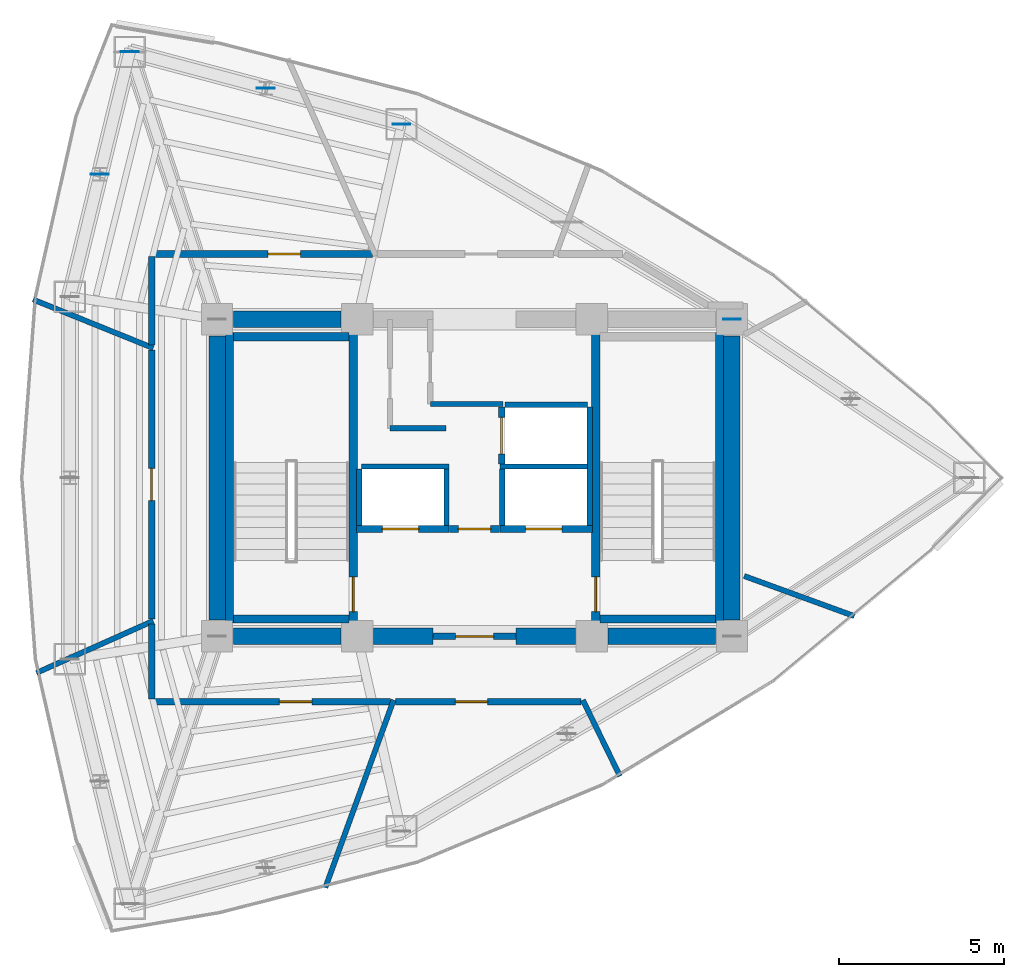
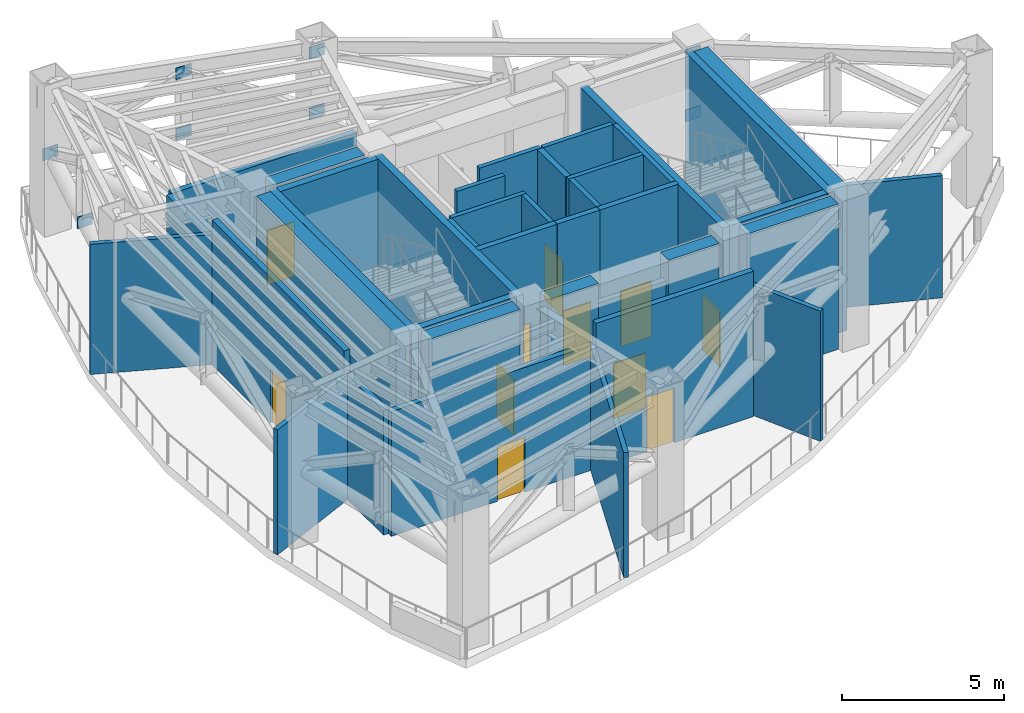
# One storey, part 3 of 6: 39 walls, 11 doors, 8 plates, 11 openings.
"""IFC4 building model written with IfcOpenShell, lengths in metres."""

import ifcopenshell
import ifcopenshell.guid

model = None  # the IFC model being written
_history = None  # IfcOwnerHistory: only IFC2X3 demands one
_inside = {}  # id of a spatial element -> (the spatial element, [elements in it])
_under = {}  # id of a project, library or spatial element -> (it, [spatial elements below it])
_declared = {}  # id of a project -> (the project, [libraries it declares])
_typed = {}  # id of a type object -> (the type object, [elements of that type])
_made_of = {}  # id of a material, layer set ... -> (it, [elements and type objects made of it])


def new_model(schema):
    """Start an empty IFC model of exactly this schema.

    Asked for "IFC4X3", IfcOpenShell would pick the latest addendum, in which some entities
    have other attributes; the version numbers below select the first issue.
    IFC2X3 requires an IfcOwnerHistory on every rooted entity: one is made here for all.
    """
    global model, _history
    if schema == "IFC4X3":
        model = ifcopenshell.file(schema_version=(4, 3, 0, 0))
    else:
        model = ifcopenshell.file(schema=schema)
    _inside.clear()
    _under.clear()
    _declared.clear()
    _typed.clear()
    _made_of.clear()
    _history = None
    if model.schema == "IFC2X3":
        org = make("IfcOrganization", Name="unknown")
        user = make(
            "IfcPersonAndOrganization",
            ThePerson=make("IfcPerson", FamilyName="unknown"),
            TheOrganization=org,
        )
        app = make(
            "IfcApplication",
            ApplicationDeveloper=org,
            Version="unknown",
            ApplicationFullName="unknown",
            ApplicationIdentifier="unknown",
        )
        _history = make(
            "IfcOwnerHistory",
            OwningUser=user,
            OwningApplication=app,
            ChangeAction="ADDED",
            CreationDate=0,
        )
    return model


def make(cls, **values):
    """One entity of the class cls with the attributes given. An attribute that is None is left unset."""
    return model.create_entity(
        cls, **{name: value for name, value in values.items() if value is not None}
    )


def rooted(cls, **values):
    """An entity with a GlobalId (a new one), such as an element, a storey or a relation."""
    return make(cls, GlobalId=ifcopenshell.guid.new(), OwnerHistory=_history, **values)


def si_unit(unit_type, name, prefix=None):
    """IfcSIUnit, for example si_unit("LENGTHUNIT", "METRE", prefix="MILLI")."""
    return make("IfcSIUnit", UnitType=unit_type, Prefix=prefix, Name=name)


def assignment(units):
    """IfcUnitAssignment: the units of a project."""
    return None if units is None else make("IfcUnitAssignment", Units=units)


def point(xyz):
    """IfcCartesianPoint."""
    return None if xyz is None else make("IfcCartesianPoint", Coordinates=xyz)


def direction(xyz):
    """IfcDirection."""
    return None if xyz is None else make("IfcDirection", DirectionRatios=xyz)


def frame(location, z_axis=None, x_axis=None):
    """IfcAxis2Placement3D, a coordinate frame: its origin and axes. An axis left out is left unset."""
    return make(
        "IfcAxis2Placement3D",
        Location=point(location),
        Axis=direction(z_axis),
        RefDirection=direction(x_axis),
    )


def frame_2d(location, x_axis=None):
    """IfcAxis2Placement2D, a coordinate frame in the plane: its origin and x axis."""
    return make(
        "IfcAxis2Placement2D", Location=point(location), RefDirection=direction(x_axis)
    )


def origin():
    """The frame at (0, 0, 0) with its axes left unset."""
    return frame((0.0, 0.0, 0.0))


def origin_2d():
    """The frame at (0, 0) in the plane with its x axis left unset."""
    return frame_2d((0.0, 0.0))


def place(relative_to, where):
    """IfcLocalPlacement: puts the frame where relative to a parent placement (None: the world)."""
    return make(
        "IfcLocalPlacement", PlacementRelTo=relative_to, RelativePlacement=where
    )


def context(
    kind, dimensions, precision=None, world=None, true_north=None, identifier=None
):
    """IfcGeometricRepresentationContext, for example the 3D "Model" context."""
    return make(
        "IfcGeometricRepresentationContext",
        ContextIdentifier=identifier,
        ContextType=kind,
        CoordinateSpaceDimension=dimensions,
        Precision=precision,
        WorldCoordinateSystem=world,
        TrueNorth=true_north,
    )


def subcontext(parent, identifier, kind, view, scale=None):
    """IfcGeometricRepresentationSubContext, for example "Body" below "Model"."""
    return make(
        "IfcGeometricRepresentationSubContext",
        ContextIdentifier=identifier,
        ContextType=kind,
        ParentContext=parent,
        TargetScale=scale,
        TargetView=view,
    )


def project(units=None, contexts=None):
    """IfcProject with its units and contexts."""
    return rooted(
        "IfcProject",
        Name="project",
        RepresentationContexts=contexts,
        UnitsInContext=assignment(units),
    )


def spatial(cls, under=None, at=None, **own):
    """A site, building, storey or space (cls), placed at a placement, below another one or the project."""
    s = rooted(cls, ObjectPlacement=at, **own)
    if under is not None:
        _under.setdefault(under.id(), (under, []))[1].append(s)
    return s


def profile(cls, at=None, kind="AREA", **sizes):
    """A parametric profile (cls). Its sizes go by their IFC names, for example OverallWidth=200.0."""
    return make(cls, ProfileType=kind, Position=at, **sizes)


def rectangle(**sizes):
    """IfcRectangleProfileDef."""
    return profile("IfcRectangleProfileDef", **sizes)


def extrude(swept, where, along, depth):
    """IfcExtrudedAreaSolid: the profile swept, set in the frame where, extruded along a direction by depth."""
    return make(
        "IfcExtrudedAreaSolid",
        SweptArea=swept,
        Position=where,
        ExtrudedDirection=direction(along),
        Depth=depth,
    )


def shape(context_of_items, identifier, shape_type, items):
    """IfcShapeRepresentation: the items that make up one representation, for example the "Body"."""
    return make(
        "IfcShapeRepresentation",
        ContextOfItems=context_of_items,
        RepresentationIdentifier=identifier,
        RepresentationType=shape_type,
        Items=items,
    )


def material(Name=None, Category=None):
    """IfcMaterial."""
    return make("IfcMaterial", Name=Name, Category=Category)


def layer(
    of_material, thickness, ventilated=None, Name=None, Category=None, Priority=None
):
    """IfcMaterialLayer: one layer of a wall or slab, of a material (None: an air gap)."""
    return make(
        "IfcMaterialLayer",
        Material=of_material,
        LayerThickness=thickness,
        IsVentilated=ventilated,
        Name=Name,
        Category=Category,
        Priority=Priority,
    )


def layer_set(layers, Name=None):
    """IfcMaterialLayerSet."""
    return make("IfcMaterialLayerSet", MaterialLayers=layers, LayerSetName=Name)


def made_of(thing, what):
    """Note that an element or type object is made of a material, layer set ...; save() writes the relation."""
    if what is not None:
        _made_of.setdefault(what.id(), (what, []))[1].append(thing)
    return thing


def type_object(cls, material=None, **own):
    """A type object (cls), such as IfcWallType, which elements share."""
    return made_of(rooted(cls, **own), material)


def element(
    cls,
    number,
    at=None,
    inside=None,
    cuts=None,
    type_object=None,
    material=None,
    context=None,
    identifier="Body",
    shape_type=None,
    held_by="IfcProductDefinitionShape",
    body=None,
    shapes=None,
    **own,
):
    """One element of the class cls, such as IfcWall. Its Tag is "e" and its number.

    at: its placement. inside: the storey or other place that contains it. cuts: it is an
    opening in that element (IfcRelVoidsElement). A single representation is given by context,
    identifier, shape_type and body (its items); several are given by shapes. held_by: the class
    of the entity that holds the representations. save() writes the other relations.
    """
    e = rooted(cls, Tag="e%d" % number, ObjectPlacement=at, **own)
    if body is not None:
        shapes = [shape(context, identifier, shape_type, body)]
    if shapes is not None:
        e.Representation = make(held_by, Representations=shapes)
    if inside is not None:
        _inside.setdefault(inside.id(), (inside, []))[1].append(e)
    if cuts is not None:
        rooted(
            "IfcRelVoidsElement", RelatingBuildingElement=cuts, RelatedOpeningElement=e
        )
    if type_object is not None:
        _typed.setdefault(type_object.id(), (type_object, []))[1].append(e)
    return made_of(e, material)


def fill(opening, filler):
    """IfcRelFillsElement: the door or window that sits in an opening."""
    return rooted(
        "IfcRelFillsElement",
        RelatingOpeningElement=opening,
        RelatedBuildingElement=filler,
    )


def aggregate(whole, parts):
    """IfcRelAggregates: a whole, such as a stair, and the parts it consists of."""
    return rooted("IfcRelAggregates", RelatingObject=whole, RelatedObjects=parts)


def save(model, path):
    """Write the relations noted so far, then the file.

    IfcRelAggregates (storeys below a building ...), IfcRelContainedInSpatialStructure (elements
    in a storey), IfcRelDefinesByType, IfcRelAssociatesMaterial and IfcRelDeclares: one each for
    every whole, place, type object, material and project.
    """
    for whole, parts in _under.values():
        aggregate(whole, parts)
    for where, things in _inside.values():
        rooted(
            "IfcRelContainedInSpatialStructure",
            RelatedElements=things,
            RelatingStructure=where,
        )
    for kind, things in _typed.values():
        rooted("IfcRelDefinesByType", RelatedObjects=things, RelatingType=kind)
    for what, things in _made_of.values():
        rooted("IfcRelAssociatesMaterial", RelatedObjects=things, RelatingMaterial=what)
    for by, libraries in _declared.values():
        rooted("IfcRelDeclares", RelatingContext=by, RelatedDefinitions=libraries)
    model.write(path)


model = new_model("IFC4")

# Units and contexts
model_context = context("Model", 3, precision=1e-05, world=origin(), true_north=direction((0.0, 1.0)))
body_context = subcontext(model_context, "Body", "Model", "MODEL_VIEW")
ifc_project = project(units=[si_unit("LENGTHUNIT", "METRE"), si_unit("AREAUNIT", "SQUARE_METRE"), si_unit("VOLUMEUNIT", "CUBIC_METRE"), si_unit("PLANEANGLEUNIT", "RADIAN"), si_unit("MASSUNIT", "GRAM", prefix="KILO")], contexts=[model_context])

# Site, building, storey
site_placement = place(None, origin())
site = spatial("IfcSite", under=ifc_project, at=site_placement, CompositionType="ELEMENT")
building_placement = place(site_placement, origin())
building = spatial("IfcBuilding", under=site, at=building_placement, Name="Menara Vayukalpa", CompositionType="ELEMENT")
storey_placement = place(building_placement, frame((0.0, 0.0, 213.840087890625)))
storey = spatial("IfcBuildingStorey", under=building, at=storey_placement, Name="L54", CompositionType="ELEMENT", Elevation=213.840087890625)

# Plates
ifc_material_1 = material(Name="Steel S355", Category="steel")
ifc_layer_1 = layer(ifc_material_1, 0.028076171875)
ifc_layer_set_1 = layer_set([ifc_layer_1], Name="Steel S355")
plate_type = type_object("IfcPlateType", Name="PLT-END1", PredefinedType="USERDEFINED", material=ifc_layer_set_1)
for number, where, z_axis, x_axis, name in (
    (1, (15.15478515625, 34.902587890625, 2.530029296875), (0.0, 0.0, 1.0), (1.0, 0.0, 0.0), "L54 Structural Brace End Gusset Plate 075"),
    (2, (33.39990234375, 26.800048828125, 2.530029296875), (0.0, 0.0, 1.0), (1.0, 0.0, 0.0), "L54 Structural Brace End Gusset Plate 078"),
    (3, (23.389404296875, 32.70849609375, 2.530029296875), (0.0, 0.0, 1.0), (1.0, 0.0, 0.0), "L54 Structural Brace End Gusset Plate 081"),
    (4, (23.389404296875, 32.70849609375, 4.81005859375), (0.0, 0.0, 1.0), (1.0, 0.0, 0.0), "L54 Structural Brace End Gusset Plate 082"),
    (5, (33.39990234375, 26.800048828125, 4.81005859375), (0.0, 0.0, 1.0), (1.0, 0.0, 0.0), "L54 Structural Brace End Gusset Plate 083"),
    (6, (19.272216796875, 33.805419921875, 4.81005859375), (0.0, 0.0, 1.0), (1.0, 0.0, 0.0), "L54 Structural Brace End Gusset Plate 084"),
    (7, (19.272216796875, 33.805419921875, 2.530029296875), (0.0, 0.0, 1.0), (1.0, 0.0, 0.0), "L54 Structural Brace End Gusset Plate 085"),
    (8, (14.24951171875, 31.19580078125, 2.530029296875), (0.0, 0.0, 1.0), (1.0, 0.0, 0.0), "L54 Structural Brace End Gusset Plate 088"),
):
    element("IfcPlate", number, at=place(storey_placement, frame(where, z_axis=z_axis, x_axis=x_axis)), inside=storey, type_object=plate_type, Name=name, ObjectType="GUSSET_PLATE", PredefinedType="USERDEFINED", context=body_context, shape_type="SweptSolid", body=[
        extrude(rectangle(XDim=0.5400390625, YDim=0.028076171875, at=origin_2d()), origin(), (0.0, 0.0, 1.0), 0.43994140625),
    ])

# Walls
ifc_material_2 = material(Name="Concrete C60/75", Category="concrete")
ifc_layer_2 = layer(ifc_material_2, 0.5)
ifc_layer_set_2 = layer_set([ifc_layer_2], Name="Concrete C60/75")
wall_type_1 = type_object("IfcWallType", Name="WAL-CW500", PredefinedType="SHEAR", material=ifc_layer_set_2)
wall_1_placement = place(storey_placement, frame((18.294921875, 17.199951171875, 0.0), z_axis=(0.0, 0.0, 1.0), x_axis=(1.0, 0.0, 0.0)))
element("IfcWall", 9, at=wall_1_placement, inside=storey, type_object=wall_type_1, Name="L54 Buttressed Core Shear Wall CWS1", PredefinedType="SHEAR", context=body_context, shape_type="SweptSolid", body=[
    extrude(rectangle(XDim=3.260009765625, YDim=0.5, at=frame_2d((1.6298828125, 0.0))), origin(), (0.0, 0.0, 1.0), 5.47998046875),
])
wall_2_placement = place(storey_placement, frame((22.544921875, 17.199951171875, 0.0), z_axis=(0.0, 0.0, 1.0), x_axis=(1.0, 0.0, 0.0)))
element("IfcWall", 10, at=wall_2_placement, inside=storey, type_object=wall_type_1, Name="L54 Buttressed Core Shear Wall CWS2", PredefinedType="SHEAR", context=body_context, shape_type="SweptSolid", body=[
    extrude(rectangle(XDim=1.80517578125, YDim=0.5, at=frame_2d((0.902587890625, 0.0))), origin(), (0.0, 0.0, 1.0), 5.47998046875),
])
wall_3_placement = place(storey_placement, frame((26.85009765625, 17.199951171875, 0.0), z_axis=(0.0, 0.0, 1.0), x_axis=(1.0, 0.0, 0.0)))
element("IfcWall", 11, at=wall_3_placement, inside=storey, type_object=wall_type_1, Name="L54 Buttressed Core Shear Wall CWS3", PredefinedType="SHEAR", context=body_context, shape_type="SweptSolid", body=[
    extrude(rectangle(XDim=1.804931640625, YDim=0.5, at=frame_2d((0.90234375, 0.0))), origin(), (0.0, 0.0, 1.0), 5.47998046875),
])
for number, where, z_axis, x_axis, name in (
    (12, (29.64501953125, 17.199951171875, 0.0), (0.0, 0.0, 1.0), (1.0, 0.0, 0.0), "L54 Buttressed Core Shear Wall CWS4"),
    (13, (18.294921875, 26.800048828125, 0.0), (0.0, 0.0, 1.0), (1.0, 0.0, 0.0), "L54 Buttressed Core Shear Wall CWN1"),
):
    element("IfcWall", number, at=place(storey_placement, frame(where, z_axis=z_axis, x_axis=x_axis)), inside=storey, type_object=wall_type_1, Name=name, PredefinedType="SHEAR", context=body_context, shape_type="SweptSolid", body=[
        extrude(rectangle(XDim=3.260009765625, YDim=0.5, at=frame_2d((1.6298828125, 0.0))), origin(), (0.0, 0.0, 1.0), 5.47998046875),
    ])
for number, where, z_axis, x_axis, name in (
    (14, (17.800048828125, 17.695068359375, 0.0), (0.0, 0.0, 1.0), (0.0, 1.0, 0.0), "L54 Buttressed Core Shear Wall CWW1"),
    (15, (33.39990234375, 17.695068359375, 0.0), (0.0, 0.0, 1.0), (0.0, 1.0, 0.0), "L54 Buttressed Core Shear Wall CWE1"),
):
    element("IfcWall", number, at=place(storey_placement, frame(where, z_axis=z_axis, x_axis=x_axis)), inside=storey, type_object=wall_type_1, Name=name, PredefinedType="SHEAR", context=body_context, shape_type="SweptSolid", body=[
        extrude(rectangle(XDim=8.60986328125, YDim=0.5, at=frame_2d((4.304931640625, 0.0))), origin(), (0.0, 0.0, 1.0), 5.47998046875),
    ])
ifc_material_3 = material(Name="Lightweight Concrete Blockwork C16/20", Category="masonry")
ifc_layer_3 = layer(ifc_material_3, 0.159912109375)
ifc_layer_set_3 = layer_set([ifc_layer_3], Name="Lightweight Concrete Blockwork C16/20")
wall_type_2 = type_object("IfcWallType", Name="WAL-FR150", PredefinedType="PARTITIONING", material=ifc_layer_set_3)
for number, where, z_axis, x_axis, name in (
    (16, (22.10498046875, 20.56005859375, 0.0), (0.0, 0.0, 1.0), (0.0, 1.0, 0.0), "L54 Interior Partition IW-L54-SHW-WW"),
    (17, (24.7548828125, 20.56005859375, 0.0), (0.0, 0.0, 1.0), (0.0, 1.0, 0.0), "L54 Interior Partition IW-L54-SHW-W1E"),
):
    element("IfcWall", number, at=place(storey_placement, frame(where, z_axis=z_axis, x_axis=x_axis)), inside=storey, type_object=wall_type_2, Name=name, PredefinedType="PARTITIONING", context=body_context, shape_type="SweptSolid", body=[
        extrude(rectangle(XDim=1.7099609375, YDim=0.159912109375, at=frame_2d((0.85498046875, 0.0))), origin(), (0.0, 0.0, 1.0), 5.47998046875),
    ])
wall_4_placement = place(storey_placement, frame((22.179931640625, 22.344970703125, 0.0), z_axis=(0.0, 0.0, 1.0), x_axis=(1.0, 0.0, 0.0)))
element("IfcWall", 18, at=wall_4_placement, inside=storey, type_object=wall_type_2, Name="L54 Interior Partition IW-L54-SHM-W12", PredefinedType="PARTITIONING", context=body_context, shape_type="SweptSolid", body=[
    extrude(rectangle(XDim=2.650146484375, YDim=0.159912109375, at=frame_2d((1.3251953125, 0.0))), origin(), (0.0, 0.0, 1.0), 5.47998046875),
])
wall_5_placement = place(storey_placement, frame((29.094970703125, 20.56005859375, 0.0), z_axis=(0.0, 0.0, 1.0), x_axis=(0.0, 1.0, 0.0)))
element("IfcWall", 19, at=wall_5_placement, inside=storey, type_object=wall_type_2, Name="L54 Interior Partition IW-L54-SHW-EE", PredefinedType="PARTITIONING", context=body_context, shape_type="SweptSolid", body=[
    extrude(rectangle(XDim=3.579833984375, YDim=0.159912109375, at=frame_2d((1.7900390625, 0.0))), origin(), (0.0, 0.0, 1.0), 5.47998046875),
])
wall_6_placement = place(storey_placement, frame((26.445068359375, 20.56005859375, 0.0), z_axis=(0.0, 0.0, 1.0), x_axis=(0.0, 1.0, 0.0)))
element("IfcWall", 20, at=wall_6_placement, inside=storey, type_object=wall_type_2, Name="L54 Interior Partition IW-L54-SHW-E1W", PredefinedType="PARTITIONING", context=body_context, shape_type="SweptSolid", body=[
    extrude(rectangle(XDim=1.7099609375, YDim=0.159912109375, at=frame_2d((0.85498046875, 0.0))), origin(), (0.0, 0.0, 1.0), 5.47998046875),
])
wall_7_placement = place(storey_placement, frame((26.3701171875, 22.344970703125, 0.0), z_axis=(0.0, 0.0, 1.0), x_axis=(1.0, 0.0, 0.0)))
element("IfcWall", 21, at=wall_7_placement, inside=storey, type_object=wall_type_2, Name="L54 Interior Partition IW-L54-SHM-E13", PredefinedType="PARTITIONING", context=body_context, shape_type="SweptSolid", body=[
    extrude(rectangle(XDim=2.64990234375, YDim=0.159912109375, at=frame_2d((1.324951171875, 0.0))), origin(), (0.0, 0.0, 1.0), 5.47998046875),
])
wall_8_placement = place(storey_placement, frame((26.530029296875, 24.215087890625, 0.0), z_axis=(0.0, 0.0, 1.0), x_axis=(1.0, 0.0, 0.0)))
element("IfcWall", 22, at=wall_8_placement, inside=storey, type_object=wall_type_2, Name="L54 Interior Partition IW-L54-SHM-E32", PredefinedType="PARTITIONING", context=body_context, shape_type="SweptSolid", body=[
    extrude(rectangle(XDim=2.489990234375, YDim=0.159912109375, at=frame_2d((1.2451171875, 0.0))), origin(), (0.0, 0.0, 1.0), 5.47998046875),
])
wall_9_placement = place(storey_placement, frame((23.0400390625, 23.5, 0.0), z_axis=(0.0, 0.0, 1.0), x_axis=(1.0, 0.0, 0.0)))
element("IfcWall", 23, at=wall_9_placement, inside=storey, type_object=wall_type_2, Name="L54 Interior Partition IW-L54-LV7WA", PredefinedType="PARTITIONING", context=body_context, shape_type="SweptSolid", body=[
    extrude(rectangle(XDim=1.699951171875, YDim=0.159912109375, at=frame_2d((0.85009765625, 0.0))), origin(), (0.0, 0.0, 1.0), 5.47998046875),
])
wall_10_placement = place(storey_placement, frame((24.260009765625, 24.239990234375, 0.0), z_axis=(0.0, 0.0, 1.0), x_axis=(1.0, 0.0, 0.0)))
element("IfcWall", 24, at=wall_10_placement, inside=storey, type_object=wall_type_2, Name="L54 Interior Partition IW-L54-LV7EA", PredefinedType="PARTITIONING", context=body_context, shape_type="SweptSolid", body=[
    extrude(rectangle(XDim=2.199951171875, YDim=0.159912109375, at=frame_2d((1.10009765625, 0.0))), origin(), (0.0, 0.0, 1.0), 5.47998046875),
])
wall_11_placement = place(storey_placement, frame((15.8701171875, 25.93115234375, 0.0), z_axis=(0.0, 0.0, 1.0), x_axis=(-0.927185393296, 0.374602784905, 0.0)))
element("IfcWall", 25, at=wall_11_placement, inside=storey, type_object=wall_type_2, Name="L54 Interior Partition IW-L54-RDIV04", PredefinedType="PARTITIONING", context=body_context, shape_type="SweptSolid", body=[
    extrude(rectangle(XDim=3.9287109375, YDim=0.159912109375, at=frame_2d((1.96435546875, 0.0))), origin(), (0.0, 0.0, 1.0), 4.909912109375),
])
wall_12_placement = place(storey_placement, frame((15.8701171875, 17.66796875, 0.0), z_axis=(0.0, 0.0, 1.0), x_axis=(-0.913554296234, -0.406716790693, 0.0)))
element("IfcWall", 26, at=wall_12_placement, inside=storey, type_object=wall_type_2, Name="L54 Interior Partition IW-L54-RDIV05", PredefinedType="PARTITIONING", context=body_context, shape_type="SweptSolid", body=[
    extrude(rectangle(XDim=3.877197265625, YDim=0.159912109375, at=frame_2d((1.9384765625, 0.0))), origin(), (0.0, 0.0, 1.0), 4.7099609375),
])
wall_13_placement = place(storey_placement, frame((23.150390625, 15.27001953125, 0.0), z_axis=(0.0, 0.0, 1.0), x_axis=(-0.342018471851, -0.939693229151, 0.0)))
element("IfcWall", 27, at=wall_13_placement, inside=storey, type_object=wall_type_2, Name="L54 Interior Partition IW-L54-RDIV06", PredefinedType="PARTITIONING", context=body_context, shape_type="SweptSolid", body=[
    extrude(rectangle(XDim=6.049560546875, YDim=0.159912109375, at=frame_2d((3.02490234375, 0.0))), origin(), (0.0, 0.0, 1.0), 4.7099609375),
])
wall_14_placement = place(storey_placement, frame((28.88232421875, 15.27001953125, 0.0), z_axis=(0.0, 0.0, 1.0), x_axis=(0.438455439009, -0.898752929344, 0.0)))
element("IfcWall", 28, at=wall_14_placement, inside=storey, type_object=wall_type_2, Name="L54 Interior Partition IW-L54-RDIV07", PredefinedType="PARTITIONING", context=body_context, shape_type="SweptSolid", body=[
    extrude(rectangle(XDim=2.57080078125, YDim=0.159912109375, at=frame_2d((1.285400390625, 0.0))), origin(), (0.0, 0.0, 1.0), 4.909912109375),
])
wall_15_placement = place(storey_placement, frame((33.77001953125, 19.0263671875, 0.0), z_axis=(0.0, 0.0, 1.0), x_axis=(0.93969706172, -0.342007941714, 0.0)))
element("IfcWall", 29, at=wall_15_placement, inside=storey, type_object=wall_type_2, Name="L54 Interior Partition IW-L54-RDIV08", PredefinedType="PARTITIONING", context=body_context, shape_type="SweptSolid", body=[
    extrude(rectangle(XDim=3.552001953125, YDim=0.159912109375, at=frame_2d((1.77587890625, 0.0))), origin(), (0.0, 0.0, 1.0), 4.60986328125),
])

# Wall, opening, door
ifc_material_4 = material(Name="Lightweight Concrete Blockwork C16/20", Category="masonry")
ifc_layer_4 = layer(ifc_material_4, 0.199951171875)
ifc_layer_set_4 = layer_set([ifc_layer_4], Name="Lightweight Concrete Blockwork C16/20")
wall_type_3 = type_object("IfcWallType", Name="WAL-FR200", PredefinedType="PARTITIONING", material=ifc_layer_set_4)
wall_16_placement = place(storey_placement, frame((24.35009765625, 17.199951171875, 0.0), z_axis=(0.0, 0.0, 1.0), x_axis=(1.0, 0.0, 0.0)))
wall_16 = element("IfcWall", 30, at=wall_16_placement, inside=storey, type_object=wall_type_3, Name="L54 Interior Partition IW-L54-FFLS", PredefinedType="PARTITIONING", context=body_context, shape_type="SweptSolid", body=[
    extrude(rectangle(XDim=2.5, YDim=0.199951171875, at=frame_2d((1.25, 0.0))), origin(), (0.0, 0.0, 1.0), 4.60986328125),
])
opening_1_placement = place(wall_16_placement, frame((0.679931640625, 0.0, 0.0)))
opening_1 = element("IfcOpeningElement", 31, at=opening_1_placement, cuts=wall_16, Name="Opening ID2", PredefinedType="OPENING", context=body_context, shape_type="SweptSolid", body=[
    extrude(rectangle(XDim=1.14990234375, YDim=2.080078125, at=frame_2d((0.574951171875, 1.0400390625))), frame((0.0, 0.10986328125, 0.0), z_axis=(0.0, -1.0, 0.0), x_axis=(1.0, 0.0, 0.0)), (0.0, 0.0, 1.0), 0.219970703125),
])
ifc_material_5 = material(Name="Fire-Rated Powder-Coated Steel Door", Category="steel")
door_type_1 = type_object("IfcDoorType", Name="DR-FD60W", OperationType="NOTDEFINED", PredefinedType="DOOR", material=ifc_material_5)
door_1_placement = place(opening_1_placement, origin())
door_1 = element("IfcDoor", 32, at=door_1_placement, inside=storey, type_object=door_type_1, Name="L54 Interior Door DR-L54-FFLS", OperationType="SINGLE_SWING_LEFT", OverallHeight=2.080078125, OverallWidth=1.14990234375, PredefinedType="DOOR", context=body_context, shape_type="SweptSolid", body=[
    extrude(rectangle(XDim=1.14990234375, YDim=2.080078125, at=frame_2d((0.574951171875, 1.0400390625))), frame((0.0, 0.02490234375, 0.0), z_axis=(0.0, -1.0, 0.0), x_axis=(1.0, 0.0, 0.0)), (0.0, 0.0, 1.0), 0.050048828125),
])
fill(opening_1, door_1)

wall_17_placement = place(storey_placement, frame((24.840087890625, 20.449951171875, 0.0), z_axis=(0.0, 0.0, 1.0), x_axis=(1.0, 0.0, 0.0)))
wall_17 = element("IfcWall", 33, at=wall_17_placement, inside=storey, type_object=wall_type_3, Name="L54 Interior Partition IW-L54-FFLN", PredefinedType="PARTITIONING", context=body_context, shape_type="SweptSolid", body=[
    extrude(rectangle(XDim=1.52001953125, YDim=0.199951171875, at=frame_2d((0.760009765625, 0.0))), origin(), (0.0, 0.0, 1.0), 5.47998046875),
])
opening_2_placement = place(wall_17_placement, frame((0.27001953125, 0.0, 0.0)))
opening_2 = element("IfcOpeningElement", 34, at=opening_2_placement, cuts=wall_17, Name="Opening ID3", PredefinedType="OPENING", context=body_context, shape_type="SweptSolid", body=[
    extrude(rectangle(XDim=0.97998046875, YDim=2.06005859375, at=frame_2d((0.489990234375, 1.030029296875))), frame((0.0, 0.10986328125, 0.0), z_axis=(0.0, -1.0, 0.0), x_axis=(1.0, 0.0, 0.0)), (0.0, 0.0, 1.0), 0.219970703125),
])
ifc_material_6 = material(Name="Fire-Rated Powder-Coated Steel Door", Category="steel")
door_type_2 = type_object("IfcDoorType", Name="DR-FD60", OperationType="NOTDEFINED", PredefinedType="DOOR", material=ifc_material_6)
door_2_placement = place(opening_2_placement, origin())
door_2 = element("IfcDoor", 35, at=door_2_placement, inside=storey, type_object=door_type_2, Name="L54 Interior Door DR-L54-FFLN", OperationType="SINGLE_SWING_RIGHT", OverallHeight=2.06005859375, OverallWidth=0.97998046875, PredefinedType="DOOR", context=body_context, shape_type="SweptSolid", body=[
    extrude(rectangle(XDim=0.97998046875, YDim=2.06005859375, at=frame_2d((0.489990234375, 1.030029296875))), frame((0.0, 0.02490234375, 0.0), z_axis=(0.0, -1.0, 0.0), x_axis=(1.0, 0.0, 0.0)), (0.0, 0.0, 1.0), 0.050048828125),
])
fill(opening_2, door_2)

wall_18_placement = place(storey_placement, frame((22.030029296875, 20.449951171875, 0.0), z_axis=(0.0, 0.0, 1.0), x_axis=(1.0, 0.0, 0.0)))
wall_18 = element("IfcWall", 36, at=wall_18_placement, inside=storey, type_object=wall_type_3, Name="L54 Interior Partition IW-L54-SH-W1", PredefinedType="PARTITIONING", context=body_context, shape_type="SweptSolid", body=[
    extrude(rectangle(XDim=2.800048828125, YDim=0.199951171875, at=frame_2d((1.39990234375, 0.0))), origin(), (0.0, 0.0, 1.0), 5.47998046875),
])
opening_3_placement = place(wall_18_placement, frame((0.780029296875, 0.0, 0.0)))
opening_3 = element("IfcOpeningElement", 37, at=opening_3_placement, cuts=wall_18, Name="Opening LD1", PredefinedType="OPENING", context=body_context, shape_type="SweptSolid", body=[
    extrude(rectangle(XDim=1.10009765625, YDim=2.080078125, at=frame_2d((0.550048828125, 1.0400390625))), frame((0.0, 0.10986328125, 0.0), z_axis=(0.0, -1.0, 0.0), x_axis=(1.0, 0.0, 0.0)), (0.0, 0.0, 1.0), 0.219970703125),
])
ifc_material_7 = material(Name="Brushed Stainless Steel 316 Lift Door", Category="steel")
door_type_3 = type_object("IfcDoorType", Name="DR-LD110", OperationType="NOTDEFINED", PredefinedType="DOOR", material=ifc_material_7)
door_3_placement = place(opening_3_placement, origin())
door_3 = element("IfcDoor", 38, at=door_3_placement, inside=storey, type_object=door_type_3, Name="L54 Interior Door DR-L54-LD-W1", OperationType="DOUBLE_DOOR_SLIDING", OverallHeight=2.080078125, OverallWidth=1.10009765625, PredefinedType="DOOR", context=body_context, shape_type="SweptSolid", body=[
    extrude(rectangle(XDim=1.10009765625, YDim=2.080078125, at=frame_2d((0.550048828125, 1.0400390625))), frame((0.0, 0.02490234375, 0.0), z_axis=(0.0, -1.0, 0.0), x_axis=(1.0, 0.0, 0.0)), (0.0, 0.0, 1.0), 0.050048828125),
])
fill(opening_3, door_3)

wall_19_placement = place(storey_placement, frame((26.3701171875, 20.449951171875, 0.0), z_axis=(0.0, 0.0, 1.0), x_axis=(1.0, 0.0, 0.0)))
wall_19 = element("IfcWall", 39, at=wall_19_placement, inside=storey, type_object=wall_type_3, Name="L54 Interior Partition IW-L54-SH-E1", PredefinedType="PARTITIONING", context=body_context, shape_type="SweptSolid", body=[
    extrude(rectangle(XDim=2.7998046875, YDim=0.199951171875, at=frame_2d((1.39990234375, 0.0))), origin(), (0.0, 0.0, 1.0), 5.47998046875),
])
opening_4_placement = place(wall_19_placement, frame((0.780029296875, 0.0, 0.0)))
opening_4 = element("IfcOpeningElement", 40, at=opening_4_placement, cuts=wall_19, Name="Opening LD1", PredefinedType="OPENING", context=body_context, shape_type="SweptSolid", body=[
    extrude(rectangle(XDim=1.10009765625, YDim=2.080078125, at=frame_2d((0.550048828125, 1.0400390625))), frame((0.0, 0.10986328125, 0.0), z_axis=(0.0, -1.0, 0.0), x_axis=(1.0, 0.0, 0.0)), (0.0, 0.0, 1.0), 0.219970703125),
])
door_4_placement = place(opening_4_placement, origin())
door_4 = element("IfcDoor", 41, at=door_4_placement, inside=storey, type_object=door_type_3, Name="L54 Interior Door DR-L54-LD-E1", OperationType="DOUBLE_DOOR_SLIDING", OverallHeight=2.080078125, OverallWidth=1.10009765625, PredefinedType="DOOR", context=body_context, shape_type="SweptSolid", body=[
    extrude(rectangle(XDim=1.10009765625, YDim=2.080078125, at=frame_2d((0.550048828125, 1.0400390625))), frame((0.0, 0.02490234375, 0.0), z_axis=(0.0, -1.0, 0.0), x_axis=(1.0, 0.0, 0.0)), (0.0, 0.0, 1.0), 0.050048828125),
])
fill(opening_4, door_4)

wall_20_placement = place(storey_placement, frame((26.419921875, 22.419921875, 0.0), z_axis=(0.0, 0.0, 1.0), x_axis=(0.0, 1.0, 0.0)))
wall_20 = element("IfcWall", 42, at=wall_20_placement, inside=storey, type_object=wall_type_3, Name="L54 Interior Partition IW-L54-SH-E3", PredefinedType="PARTITIONING", context=body_context, shape_type="SweptSolid", body=[
    extrude(rectangle(XDim=1.719970703125, YDim=0.199951171875, at=frame_2d((0.85986328125, 0.0))), origin(), (0.0, 0.0, 1.0), 5.47998046875),
])
opening_5_placement = place(wall_20_placement, frame((0.31005859375, 0.0, 0.0)))
opening_5 = element("IfcOpeningElement", 43, at=opening_5_placement, cuts=wall_20, Name="Opening LD1", PredefinedType="OPENING", context=body_context, shape_type="SweptSolid", body=[
    extrude(rectangle(XDim=1.10009765625, YDim=2.080078125, at=frame_2d((0.550048828125, 1.0400390625))), frame((0.0, 0.10986328125, 0.0), z_axis=(0.0, -1.0, 0.0), x_axis=(1.0, 0.0, 0.0)), (0.0, 0.0, 1.0), 0.219970703125),
])
door_5_placement = place(opening_5_placement, origin())
door_5 = element("IfcDoor", 44, at=door_5_placement, inside=storey, type_object=door_type_3, Name="L54 Interior Door DR-L54-LD-E3", OperationType="DOUBLE_DOOR_SLIDING", OverallHeight=2.080078125, OverallWidth=1.10009765625, PredefinedType="DOOR", context=body_context, shape_type="SweptSolid", body=[
    extrude(rectangle(XDim=1.10009765625, YDim=2.080078125, at=frame_2d((0.550048828125, 1.0400390625))), frame((0.0, 0.02490234375, 0.0), z_axis=(0.0, -1.0, 0.0), x_axis=(1.0, 0.0, 0.0)), (0.0, 0.0, 1.0), 0.050048828125),
])
fill(opening_5, door_5)

wall_21_placement = place(storey_placement, frame((15.820068359375, 25.8759765625, 0.0), z_axis=(0.0, 0.0, 1.0), x_axis=(0.0, -1.0, 0.0)))
wall_21 = element("IfcWall", 45, at=wall_21_placement, inside=storey, type_object=wall_type_3, Name="L54 Interior Partition IW-L54-CRM01-1", PredefinedType="PARTITIONING", context=body_context, shape_type="SweptSolid", body=[
    extrude(rectangle(XDim=8.153564453125, YDim=0.199951171875, at=frame_2d((4.07666015625, 0.0))), origin(), (0.0, 0.0, 1.0), 5.47998046875),
])
opening_6_placement = place(wall_21_placement, frame((3.5869140625, 0.0, 0.0)))
opening_6 = element("IfcOpeningElement", 46, at=opening_6_placement, cuts=wall_21, Name="Opening ID3", PredefinedType="OPENING", context=body_context, shape_type="SweptSolid", body=[
    extrude(rectangle(XDim=0.97998046875, YDim=2.06005859375, at=frame_2d((0.489990234375, 1.030029296875))), frame((0.0, 0.10986328125, 0.0), z_axis=(0.0, -1.0, 0.0), x_axis=(1.0, 0.0, 0.0)), (0.0, 0.0, 1.0), 0.219970703125),
])
door_6_placement = place(opening_6_placement, origin())
door_6 = element("IfcDoor", 47, at=door_6_placement, inside=storey, type_object=door_type_2, Name="L54 Interior Door DR-L54-RM01", OperationType="SINGLE_SWING_LEFT", OverallHeight=2.06005859375, OverallWidth=0.97998046875, PredefinedType="DOOR", context=body_context, shape_type="SweptSolid", body=[
    extrude(rectangle(XDim=0.97998046875, YDim=2.06005859375, at=frame_2d((0.489990234375, 1.030029296875))), frame((0.0, 0.02490234375, 0.0), z_axis=(0.0, -1.0, 0.0), x_axis=(1.0, 0.0, 0.0)), (0.0, 0.0, 1.0), 0.050048828125),
])
fill(opening_6, door_6)

# Wall
wall_22_placement = place(storey_placement, frame((15.820068359375, 17.569091796875, 0.0), z_axis=(0.0, 0.0, 1.0), x_axis=(0.0, -1.0, 0.0)))
element("IfcWall", 48, at=wall_22_placement, inside=storey, type_object=wall_type_3, Name="L54 Interior Partition IW-L54-CRM02-1", PredefinedType="PARTITIONING", context=body_context, shape_type="SweptSolid", body=[
    extrude(rectangle(XDim=2.26904296875, YDim=0.199951171875, at=frame_2d((1.134521484375, 0.0))), origin(), (0.0, 0.0, 1.0), 4.7099609375),
])

# Wall, opening, door
wall_23_placement = place(storey_placement, frame((15.89990234375, 15.219970703125, 0.0), z_axis=(0.0, 0.0, 1.0), x_axis=(1.0, 0.0, 0.0)))
wall_23 = element("IfcWall", 49, at=wall_23_placement, inside=storey, type_object=wall_type_3, Name="L54 Interior Partition IW-L54-CRM02-2", PredefinedType="PARTITIONING", context=body_context, shape_type="SweptSolid", body=[
    extrude(rectangle(XDim=7.157958984375, YDim=0.199951171875, at=frame_2d((3.5791015625, 0.0))), origin(), (0.0, 0.0, 1.0), 4.7099609375),
])
opening_7_placement = place(wall_23_placement, frame((3.791015625, 0.0, 0.0)))
opening_7 = element("IfcOpeningElement", 50, at=opening_7_placement, cuts=wall_23, Name="Opening ID3", PredefinedType="OPENING", context=body_context, shape_type="SweptSolid", body=[
    extrude(rectangle(XDim=0.97998046875, YDim=2.06005859375, at=frame_2d((0.489990234375, 1.030029296875))), frame((0.0, 0.10986328125, 0.0), z_axis=(0.0, -1.0, 0.0), x_axis=(1.0, 0.0, 0.0)), (0.0, 0.0, 1.0), 0.219970703125),
])
door_7_placement = place(opening_7_placement, origin())
door_7 = element("IfcDoor", 51, at=door_7_placement, inside=storey, type_object=door_type_2, Name="L54 Interior Door DR-L54-RM02", OperationType="SINGLE_SWING_RIGHT", OverallHeight=2.06005859375, OverallWidth=0.97998046875, PredefinedType="DOOR", context=body_context, shape_type="SweptSolid", body=[
    extrude(rectangle(XDim=0.97998046875, YDim=2.06005859375, at=frame_2d((0.489990234375, 1.030029296875))), frame((0.0, 0.02490234375, 0.0), z_axis=(0.0, -1.0, 0.0), x_axis=(1.0, 0.0, 0.0)), (0.0, 0.0, 1.0), 0.050048828125),
])
fill(opening_7, door_7)

wall_24_placement = place(storey_placement, frame((23.206787109375, 15.219970703125, 0.0), z_axis=(0.0, 0.0, 1.0), x_axis=(1.0, 0.0, 0.0)))
wall_24 = element("IfcWall", 52, at=wall_24_placement, inside=storey, type_object=wall_type_3, Name="L54 Interior Partition IW-L54-CRM03-1", PredefinedType="PARTITIONING", context=body_context, shape_type="SweptSolid", body=[
    extrude(rectangle(XDim=5.6220703125, YDim=0.199951171875, at=frame_2d((2.81103515625, 0.0))), origin(), (0.0, 0.0, 1.0), 5.47998046875),
])
opening_8_placement = place(wall_24_placement, frame((1.810791015625, 0.0, 0.0)))
opening_8 = element("IfcOpeningElement", 53, at=opening_8_placement, cuts=wall_24, Name="Opening ID3", PredefinedType="OPENING", context=body_context, shape_type="SweptSolid", body=[
    extrude(rectangle(XDim=0.97998046875, YDim=2.06005859375, at=frame_2d((0.489990234375, 1.030029296875))), frame((0.0, 0.10986328125, 0.0), z_axis=(0.0, -1.0, 0.0), x_axis=(1.0, 0.0, 0.0)), (0.0, 0.0, 1.0), 0.219970703125),
])
door_8_placement = place(opening_8_placement, origin())
door_8 = element("IfcDoor", 54, at=door_8_placement, inside=storey, type_object=door_type_2, Name="L54 Interior Door DR-L54-RM03", OperationType="SINGLE_SWING_LEFT", OverallHeight=2.06005859375, OverallWidth=0.97998046875, PredefinedType="DOOR", context=body_context, shape_type="SweptSolid", body=[
    extrude(rectangle(XDim=0.97998046875, YDim=2.06005859375, at=frame_2d((0.489990234375, 1.030029296875))), frame((0.0, 0.02490234375, 0.0), z_axis=(0.0, -1.0, 0.0), x_axis=(1.0, 0.0, 0.0)), (0.0, 0.0, 1.0), 0.050048828125),
])
fill(opening_8, door_8)

wall_25_placement = place(storey_placement, frame((22.504638671875, 28.780029296875, 0.0), z_axis=(0.0, 0.0, 1.0), x_axis=(-1.0, 0.0, 0.0)))
wall_25 = element("IfcWall", 55, at=wall_25_placement, inside=storey, type_object=wall_type_3, Name="L54 Interior Partition IW-L54-CRM08-1", PredefinedType="PARTITIONING", context=body_context, shape_type="SweptSolid", body=[
    extrude(rectangle(XDim=6.604736328125, YDim=0.199951171875, at=frame_2d((3.30224609375, 0.0))), origin(), (0.0, 0.0, 1.0), 4.7099609375),
])
opening_9_placement = place(wall_25_placement, frame((2.17919921875, 0.0, 0.0)))
opening_9 = element("IfcOpeningElement", 56, at=opening_9_placement, cuts=wall_25, Name="Opening ID3", PredefinedType="OPENING", context=body_context, shape_type="SweptSolid", body=[
    extrude(rectangle(XDim=0.97998046875, YDim=2.06005859375, at=frame_2d((0.489990234375, 1.030029296875))), frame((0.0, 0.10986328125, 0.0), z_axis=(0.0, -1.0, 0.0), x_axis=(1.0, 0.0, 0.0)), (0.0, 0.0, 1.0), 0.219970703125),
])
door_9_placement = place(opening_9_placement, origin())
door_9 = element("IfcDoor", 57, at=door_9_placement, inside=storey, type_object=door_type_2, Name="L54 Interior Door DR-L54-RM08", OperationType="SINGLE_SWING_LEFT", OverallHeight=2.06005859375, OverallWidth=0.97998046875, PredefinedType="DOOR", context=body_context, shape_type="SweptSolid", body=[
    extrude(rectangle(XDim=0.97998046875, YDim=2.06005859375, at=frame_2d((0.489990234375, 1.030029296875))), frame((0.0, 0.02490234375, 0.0), z_axis=(0.0, -1.0, 0.0), x_axis=(1.0, 0.0, 0.0)), (0.0, 0.0, 1.0), 0.050048828125),
])
fill(opening_9, door_9)

# Walls
wall_26_placement = place(storey_placement, frame((15.820068359375, 28.699951171875, 0.0), z_axis=(0.0, 0.0, 1.0), x_axis=(0.0, -1.0, 0.0)))
element("IfcWall", 58, at=wall_26_placement, inside=storey, type_object=wall_type_3, Name="L54 Interior Partition IW-L54-CRM08-2", PredefinedType="PARTITIONING", context=body_context, shape_type="SweptSolid", body=[
    extrude(rectangle(XDim=2.673095703125, YDim=0.199951171875, at=frame_2d((1.33642578125, 0.0))), origin(), (0.0, 0.0, 1.0), 4.7099609375),
])
ifc_material_8 = material(Name="Concrete C50/60", Category="concrete")
ifc_layer_5 = layer(ifc_material_8, 0.25)
ifc_layer_set_5 = layer_set([ifc_layer_5], Name="Concrete C50/60")
wall_type_4 = type_object("IfcWallType", Name="WAL-SW250", PredefinedType="SHEAR", material=ifc_layer_set_5)
wall_27_placement = place(storey_placement, frame((18.178955078125, 17.60009765625, 0.0), z_axis=(0.0, 0.0, 1.0), x_axis=(0.0, 1.0, 0.0)))
element("IfcWall", 59, at=wall_27_placement, inside=storey, type_object=wall_type_4, Name="L54 ST1 Structural Stair Shaft Wall W", PredefinedType="SHEAR", context=body_context, shape_type="SweptSolid", body=[
    extrude(rectangle(XDim=8.7998046875, YDim=0.25, at=frame_2d((4.39990234375, 0.0))), origin(), (0.0, 0.0, 1.0), 5.47998046875),
])

# Wall, opening, door
wall_28_placement = place(storey_placement, frame((21.925048828125, 17.60009765625, 0.0), z_axis=(0.0, 0.0, 1.0), x_axis=(0.0, 1.0, 0.0)))
wall_28 = element("IfcWall", 60, at=wall_28_placement, inside=storey, type_object=wall_type_4, Name="L54 ST1 Structural Stair Shaft Wall E", PredefinedType="SHEAR", context=body_context, shape_type="SweptSolid", body=[
    extrude(rectangle(XDim=8.7998046875, YDim=0.25, at=frame_2d((4.39990234375, 0.0))), origin(), (0.0, 0.0, 1.0), 5.47998046875),
])
opening_10_placement = place(wall_28_placement, frame((0.35009765625, 0.0, 0.0)))
opening_10 = element("IfcOpeningElement", 61, at=opening_10_placement, cuts=wall_28, Name="Opening ID1", PredefinedType="OPENING", context=body_context, shape_type="SweptSolid", body=[
    extrude(rectangle(XDim=1.050048828125, YDim=2.080078125, at=frame_2d((0.52490234375, 1.0400390625))), frame((0.0, 0.135009765625, 0.0), z_axis=(0.0, -1.0, 0.0), x_axis=(1.0, 0.0, 0.0)), (0.0, 0.0, 1.0), 0.27001953125),
])
ifc_material_9 = material(Name="Fire-Rated Powder-Coated Steel Door", Category="steel")
door_type_4 = type_object("IfcDoorType", Name="DR-FD120", OperationType="NOTDEFINED", PredefinedType="DOOR", material=ifc_material_9)
door_10_placement = place(opening_10_placement, origin())
door_10 = element("IfcDoor", 62, at=door_10_placement, inside=storey, type_object=door_type_4, Name="L54 Stair Exit Door DR-L54-ST1", OperationType="SINGLE_SWING_LEFT", OverallHeight=2.080078125, OverallWidth=1.050048828125, PredefinedType="DOOR", context=body_context, shape_type="SweptSolid", body=[
    extrude(rectangle(XDim=1.050048828125, YDim=2.080078125, at=frame_2d((0.52490234375, 1.0400390625))), frame((0.0, 0.02490234375, 0.0), z_axis=(0.0, -1.0, 0.0), x_axis=(1.0, 0.0, 0.0)), (0.0, 0.0, 1.0), 0.050048828125),
])
fill(opening_10, door_10)

# Walls
for number, where, z_axis, x_axis, name in (
    (63, (18.303955078125, 17.72509765625, 0.0), (0.0, 0.0, 1.0), (1.0, 0.0, 0.0), "L54 ST1 Structural Stair Shaft Wall S"),
    (64, (18.303955078125, 26.27490234375, 0.0), (0.0, 0.0, 1.0), (1.0, 0.0, 0.0), "L54 ST1 Structural Stair Shaft Wall N"),
):
    element("IfcWall", number, at=place(storey_placement, frame(where, z_axis=z_axis, x_axis=x_axis)), inside=storey, type_object=wall_type_4, Name=name, PredefinedType="SHEAR", context=body_context, shape_type="SweptSolid", body=[
        extrude(rectangle(XDim=3.49609375, YDim=0.25, at=frame_2d((1.748046875, 0.0))), origin(), (0.0, 0.0, 1.0), 5.47998046875),
    ])

# Wall, opening, door
wall_29_placement = place(storey_placement, frame((29.27490234375, 17.60009765625, 0.0), z_axis=(0.0, 0.0, 1.0), x_axis=(0.0, 1.0, 0.0)))
wall_29 = element("IfcWall", 65, at=wall_29_placement, inside=storey, type_object=wall_type_4, Name="L54 ST2 Structural Stair Shaft Wall W", PredefinedType="SHEAR", context=body_context, shape_type="SweptSolid", body=[
    extrude(rectangle(XDim=8.7998046875, YDim=0.25, at=frame_2d((4.39990234375, 0.0))), origin(), (0.0, 0.0, 1.0), 5.47998046875),
])
opening_11_placement = place(wall_29_placement, frame((0.35009765625, 0.0, 0.0)))
opening_11 = element("IfcOpeningElement", 66, at=opening_11_placement, cuts=wall_29, Name="Opening ID1", PredefinedType="OPENING", context=body_context, shape_type="SweptSolid", body=[
    extrude(rectangle(XDim=1.050048828125, YDim=2.080078125, at=frame_2d((0.52490234375, 1.0400390625))), frame((0.0, 0.135009765625, 0.0), z_axis=(0.0, -1.0, 0.0), x_axis=(1.0, 0.0, 0.0)), (0.0, 0.0, 1.0), 0.27001953125),
])
door_11_placement = place(opening_11_placement, origin())
door_11 = element("IfcDoor", 67, at=door_11_placement, inside=storey, type_object=door_type_4, Name="L54 Stair Exit Door DR-L54-ST2", OperationType="SINGLE_SWING_RIGHT", OverallHeight=2.080078125, OverallWidth=1.050048828125, PredefinedType="DOOR", context=body_context, shape_type="SweptSolid", body=[
    extrude(rectangle(XDim=1.050048828125, YDim=2.080078125, at=frame_2d((0.52490234375, 1.0400390625))), frame((0.0, 0.02490234375, 0.0), z_axis=(0.0, -1.0, 0.0), x_axis=(1.0, 0.0, 0.0)), (0.0, 0.0, 1.0), 0.050048828125),
])
fill(opening_11, door_11)

# Walls
wall_30_placement = place(storey_placement, frame((33.02099609375, 17.60009765625, 0.0), z_axis=(0.0, 0.0, 1.0), x_axis=(0.0, 1.0, 0.0)))
element("IfcWall", 68, at=wall_30_placement, inside=storey, type_object=wall_type_4, Name="L54 ST2 Structural Stair Shaft Wall E", PredefinedType="SHEAR", context=body_context, shape_type="SweptSolid", body=[
    extrude(rectangle(XDim=8.7998046875, YDim=0.25, at=frame_2d((4.39990234375, 0.0))), origin(), (0.0, 0.0, 1.0), 5.47998046875),
])
wall_31_placement = place(storey_placement, frame((29.39990234375, 17.72509765625, 0.0), z_axis=(0.0, 0.0, 1.0), x_axis=(1.0, 0.0, 0.0)))
element("IfcWall", 69, at=wall_31_placement, inside=storey, type_object=wall_type_4, Name="L54 ST2 Structural Stair Shaft Wall S", PredefinedType="SHEAR", context=body_context, shape_type="SweptSolid", body=[
    extrude(rectangle(XDim=3.49609375, YDim=0.25, at=frame_2d((1.748046875, 0.0))), origin(), (0.0, 0.0, 1.0), 5.47998046875),
])

save(model, "model.ifc")
